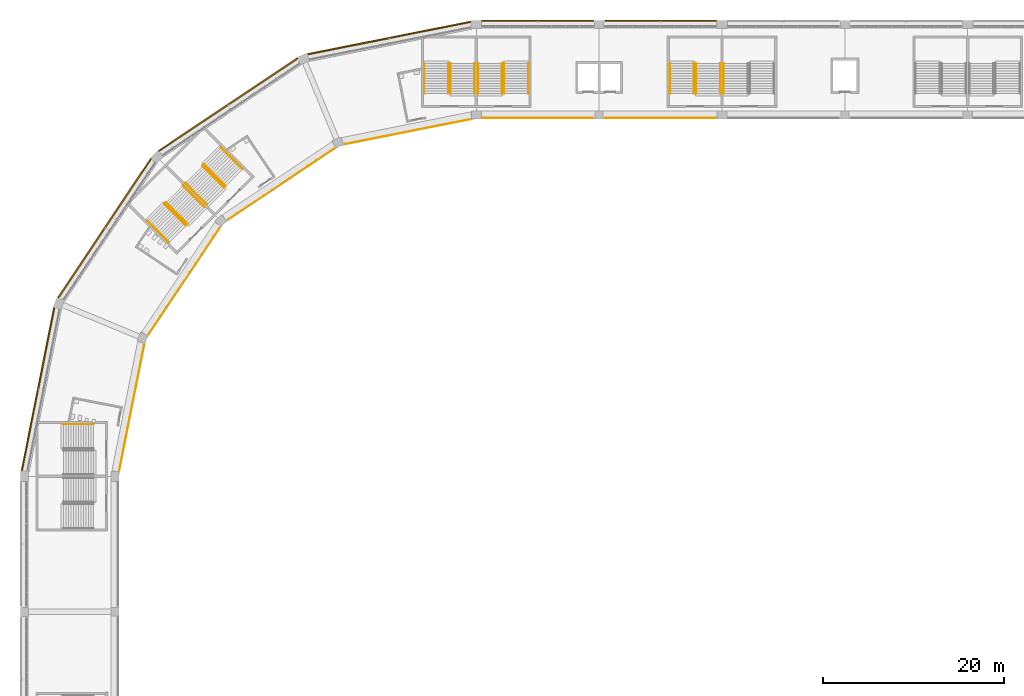
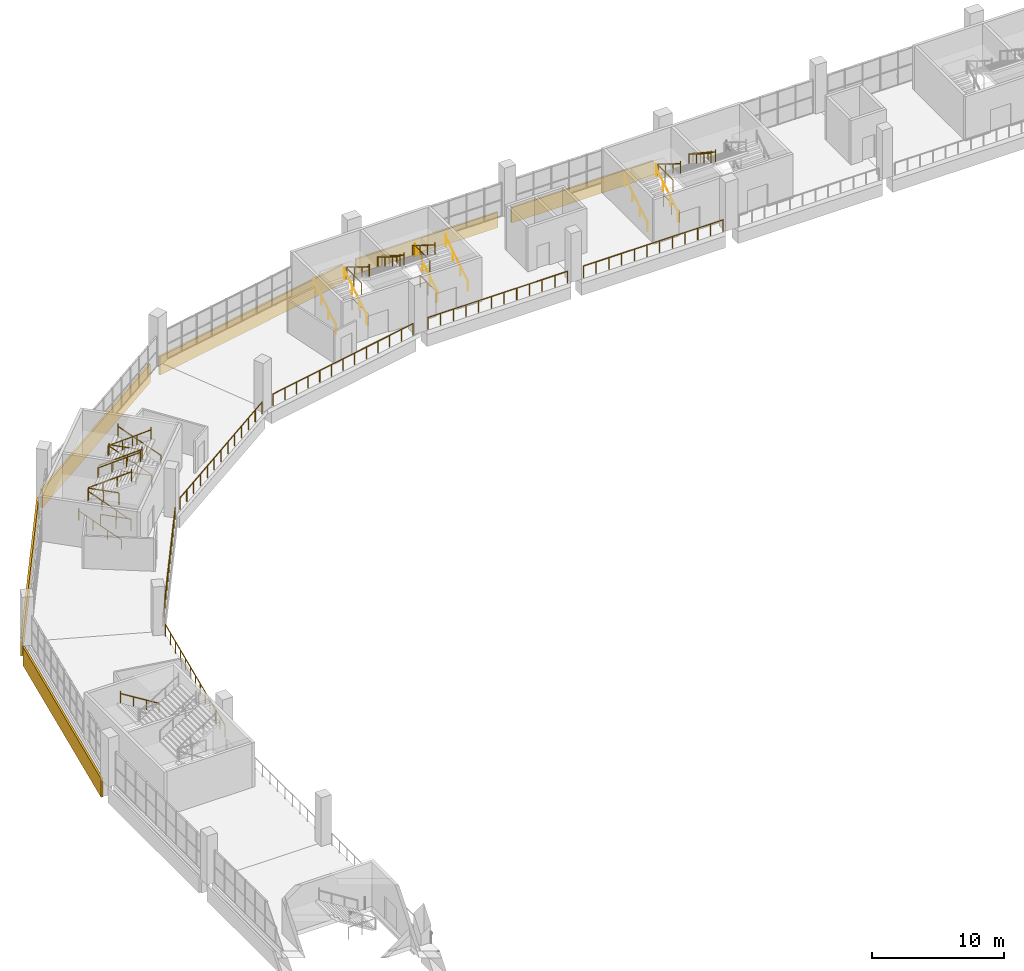
# One storey, part 169 of 177: 38 railings, 6 coverings.
"""IFC4 building model written with IfcOpenShell, lengths in metres."""

import ifcopenshell
import ifcopenshell.guid

model = None  # the IFC model being written
_history = None  # IfcOwnerHistory: only IFC2X3 demands one
_inside = {}  # id of a spatial element -> (the spatial element, [elements in it])
_under = {}  # id of a project, library or spatial element -> (it, [spatial elements below it])
_declared = {}  # id of a project -> (the project, [libraries it declares])
_typed = {}  # id of a type object -> (the type object, [elements of that type])
_made_of = {}  # id of a material, layer set ... -> (it, [elements and type objects made of it])


def new_model(schema):
    """Start an empty IFC model of exactly this schema.

    Asked for "IFC4X3", IfcOpenShell would pick the latest addendum, in which some entities
    have other attributes; the version numbers below select the first issue.
    IFC2X3 requires an IfcOwnerHistory on every rooted entity: one is made here for all.
    """
    global model, _history
    if schema == "IFC4X3":
        model = ifcopenshell.file(schema_version=(4, 3, 0, 0))
    else:
        model = ifcopenshell.file(schema=schema)
    _inside.clear()
    _under.clear()
    _declared.clear()
    _typed.clear()
    _made_of.clear()
    _history = None
    if model.schema == "IFC2X3":
        org = make("IfcOrganization", Name="unknown")
        user = make(
            "IfcPersonAndOrganization",
            ThePerson=make("IfcPerson", FamilyName="unknown"),
            TheOrganization=org,
        )
        app = make(
            "IfcApplication",
            ApplicationDeveloper=org,
            Version="unknown",
            ApplicationFullName="unknown",
            ApplicationIdentifier="unknown",
        )
        _history = make(
            "IfcOwnerHistory",
            OwningUser=user,
            OwningApplication=app,
            ChangeAction="ADDED",
            CreationDate=0,
        )
    return model


def make(cls, **values):
    """One entity of the class cls with the attributes given. An attribute that is None is left unset."""
    return model.create_entity(
        cls, **{name: value for name, value in values.items() if value is not None}
    )


def rooted(cls, **values):
    """An entity with a GlobalId (a new one), such as an element, a storey or a relation."""
    return make(cls, GlobalId=ifcopenshell.guid.new(), OwnerHistory=_history, **values)


def si_unit(unit_type, name, prefix=None):
    """IfcSIUnit, for example si_unit("LENGTHUNIT", "METRE", prefix="MILLI")."""
    return make("IfcSIUnit", UnitType=unit_type, Prefix=prefix, Name=name)


def assignment(units):
    """IfcUnitAssignment: the units of a project."""
    return None if units is None else make("IfcUnitAssignment", Units=units)


def point(xyz):
    """IfcCartesianPoint."""
    return None if xyz is None else make("IfcCartesianPoint", Coordinates=xyz)


def direction(xyz):
    """IfcDirection."""
    return None if xyz is None else make("IfcDirection", DirectionRatios=xyz)


def frame(location, z_axis=None, x_axis=None):
    """IfcAxis2Placement3D, a coordinate frame: its origin and axes. An axis left out is left unset."""
    return make(
        "IfcAxis2Placement3D",
        Location=point(location),
        Axis=direction(z_axis),
        RefDirection=direction(x_axis),
    )


def frame_2d(location, x_axis=None):
    """IfcAxis2Placement2D, a coordinate frame in the plane: its origin and x axis."""
    return make(
        "IfcAxis2Placement2D", Location=point(location), RefDirection=direction(x_axis)
    )


def origin():
    """The frame at (0, 0, 0) with its axes left unset."""
    return frame((0.0, 0.0, 0.0))


def origin_2d():
    """The frame at (0, 0) in the plane with its x axis left unset."""
    return frame_2d((0.0, 0.0))


def place(relative_to, where):
    """IfcLocalPlacement: puts the frame where relative to a parent placement (None: the world)."""
    return make(
        "IfcLocalPlacement", PlacementRelTo=relative_to, RelativePlacement=where
    )


def context(
    kind, dimensions, precision=None, world=None, true_north=None, identifier=None
):
    """IfcGeometricRepresentationContext, for example the 3D "Model" context."""
    return make(
        "IfcGeometricRepresentationContext",
        ContextIdentifier=identifier,
        ContextType=kind,
        CoordinateSpaceDimension=dimensions,
        Precision=precision,
        WorldCoordinateSystem=world,
        TrueNorth=true_north,
    )


def subcontext(parent, identifier, kind, view, scale=None):
    """IfcGeometricRepresentationSubContext, for example "Body" below "Model"."""
    return make(
        "IfcGeometricRepresentationSubContext",
        ContextIdentifier=identifier,
        ContextType=kind,
        ParentContext=parent,
        TargetScale=scale,
        TargetView=view,
    )


def project(units=None, contexts=None):
    """IfcProject with its units and contexts."""
    return rooted(
        "IfcProject",
        Name="project",
        RepresentationContexts=contexts,
        UnitsInContext=assignment(units),
    )


def spatial(cls, under=None, at=None, **own):
    """A site, building, storey or space (cls), placed at a placement, below another one or the project."""
    s = rooted(cls, ObjectPlacement=at, **own)
    if under is not None:
        _under.setdefault(under.id(), (under, []))[1].append(s)
    return s


def polyline(points):
    """IfcPolyline through the points."""
    return make("IfcPolyline", Points=[point(p) for p in points])


def profile(cls, at=None, kind="AREA", **sizes):
    """A parametric profile (cls). Its sizes go by their IFC names, for example OverallWidth=200.0."""
    return make(cls, ProfileType=kind, Position=at, **sizes)


def circle(**sizes):
    """IfcCircleProfileDef."""
    return profile("IfcCircleProfileDef", **sizes)


def outline(outer, holes=None, kind="AREA"):
    """IfcArbitraryClosedProfileDef: a profile drawn as a closed curve; with holes, ...WithVoids."""
    if holes is None:
        return make("IfcArbitraryClosedProfileDef", ProfileType=kind, OuterCurve=outer)
    return make(
        "IfcArbitraryProfileDefWithVoids",
        ProfileType=kind,
        OuterCurve=outer,
        InnerCurves=holes,
    )


def extrude(swept, where, along, depth):
    """IfcExtrudedAreaSolid: the profile swept, set in the frame where, extruded along a direction by depth."""
    return make(
        "IfcExtrudedAreaSolid",
        SweptArea=swept,
        Position=where,
        ExtrudedDirection=direction(along),
        Depth=depth,
    )


def shape(context_of_items, identifier, shape_type, items):
    """IfcShapeRepresentation: the items that make up one representation, for example the "Body"."""
    return make(
        "IfcShapeRepresentation",
        ContextOfItems=context_of_items,
        RepresentationIdentifier=identifier,
        RepresentationType=shape_type,
        Items=items,
    )


def material(Name=None, Category=None):
    """IfcMaterial."""
    return make("IfcMaterial", Name=Name, Category=Category)


def layer(
    of_material, thickness, ventilated=None, Name=None, Category=None, Priority=None
):
    """IfcMaterialLayer: one layer of a wall or slab, of a material (None: an air gap)."""
    return make(
        "IfcMaterialLayer",
        Material=of_material,
        LayerThickness=thickness,
        IsVentilated=ventilated,
        Name=Name,
        Category=Category,
        Priority=Priority,
    )


def layer_set(layers, Name=None):
    """IfcMaterialLayerSet."""
    return make("IfcMaterialLayerSet", MaterialLayers=layers, LayerSetName=Name)


def made_of(thing, what):
    """Note that an element or type object is made of a material, layer set ...; save() writes the relation."""
    if what is not None:
        _made_of.setdefault(what.id(), (what, []))[1].append(thing)
    return thing


def type_object(cls, material=None, **own):
    """A type object (cls), such as IfcWallType, which elements share."""
    return made_of(rooted(cls, **own), material)


def element(
    cls,
    number,
    at=None,
    inside=None,
    cuts=None,
    type_object=None,
    material=None,
    context=None,
    identifier="Body",
    shape_type=None,
    held_by="IfcProductDefinitionShape",
    body=None,
    shapes=None,
    **own,
):
    """One element of the class cls, such as IfcWall. Its Tag is "e" and its number.

    at: its placement. inside: the storey or other place that contains it. cuts: it is an
    opening in that element (IfcRelVoidsElement). A single representation is given by context,
    identifier, shape_type and body (its items); several are given by shapes. held_by: the class
    of the entity that holds the representations. save() writes the other relations.
    """
    e = rooted(cls, Tag="e%d" % number, ObjectPlacement=at, **own)
    if body is not None:
        shapes = [shape(context, identifier, shape_type, body)]
    if shapes is not None:
        e.Representation = make(held_by, Representations=shapes)
    if inside is not None:
        _inside.setdefault(inside.id(), (inside, []))[1].append(e)
    if cuts is not None:
        rooted(
            "IfcRelVoidsElement", RelatingBuildingElement=cuts, RelatedOpeningElement=e
        )
    if type_object is not None:
        _typed.setdefault(type_object.id(), (type_object, []))[1].append(e)
    return made_of(e, material)


def aggregate(whole, parts):
    """IfcRelAggregates: a whole, such as a stair, and the parts it consists of."""
    return rooted("IfcRelAggregates", RelatingObject=whole, RelatedObjects=parts)


def save(model, path):
    """Write the relations noted so far, then the file.

    IfcRelAggregates (storeys below a building ...), IfcRelContainedInSpatialStructure (elements
    in a storey), IfcRelDefinesByType, IfcRelAssociatesMaterial and IfcRelDeclares: one each for
    every whole, place, type object, material and project.
    """
    for whole, parts in _under.values():
        aggregate(whole, parts)
    for where, things in _inside.values():
        rooted(
            "IfcRelContainedInSpatialStructure",
            RelatedElements=things,
            RelatingStructure=where,
        )
    for kind, things in _typed.values():
        rooted("IfcRelDefinesByType", RelatedObjects=things, RelatingType=kind)
    for what, things in _made_of.values():
        rooted("IfcRelAssociatesMaterial", RelatedObjects=things, RelatingMaterial=what)
    for by, libraries in _declared.values():
        rooted("IfcRelDeclares", RelatingContext=by, RelatedDefinitions=libraries)
    model.write(path)


model = new_model("IFC4")

# Units and contexts
model_context = context("Model", 3, precision=1e-05, world=origin(), true_north=direction((0.0, 1.0)))
body_context = subcontext(model_context, "Body", "Model", "MODEL_VIEW")
ifc_project = project(units=[si_unit("LENGTHUNIT", "METRE"), si_unit("AREAUNIT", "SQUARE_METRE"), si_unit("VOLUMEUNIT", "CUBIC_METRE"), si_unit("PLANEANGLEUNIT", "RADIAN"), si_unit("MASSUNIT", "GRAM", prefix="KILO")], contexts=[model_context])

# Site, building, storey
site_placement = place(None, origin())
site = spatial("IfcSite", under=ifc_project, at=site_placement, CompositionType="ELEMENT")
building_placement = place(site_placement, origin())
building = spatial("IfcBuilding", under=site, at=building_placement, Name="Ogive Plaza Stadium", CompositionType="ELEMENT")
storey_placement = place(building_placement, frame((0.0, 0.0, 18.0)))
storey = spatial("IfcBuildingStorey", under=building, at=storey_placement, Name="L04", CompositionType="ELEMENT", Elevation=18.0)

# Railings
ifc_material_1 = material(Name="Steel ASTM A572 Grade 50", Category="steel")
railing_type_1 = type_object("IfcRailingType", Name="Guard 1100", PredefinedType="GUARDRAIL", material=ifc_material_1)
for number, where, name in (
    (1, (-61.84228515625, 84.549560546875, 0.0), "Stair well guard ST30A L04"),
    (2, (-62.521240234375, 85.228515625, 2.25), "Stair well guard ST30A L04"),
    (3, (-66.049560546875, 80.34228515625, 0.0), "Stair well guard ST30B L04"),
    (4, (-66.728515625, 81.021240234375, 2.25), "Stair well guard ST30B L04"),
):
    element("IfcRailing", number, at=place(storey_placement, frame(where)), inside=storey, type_object=railing_type_1, Name=name, PredefinedType="GUARDRAIL", context=body_context, shape_type="SweptSolid", body=[
        extrude(circle(Radius=0.02392578125, at=origin_2d()), frame((0.0, 0.0, 1.076171875), z_axis=(-0.707106781187, 0.707106781187, 0.0), x_axis=(-0.707106781187, -0.707106781187, 0.0)), (0.0, 0.0, 1.0), 2.39990234375),
        extrude(circle(Radius=0.02099609375, at=origin_2d()), origin(), (0.0, 0.0, 1.0), 1.052001953125),
        extrude(circle(Radius=0.02099609375, at=origin_2d()), frame((-0.8486328125, 0.8486328125, 0.0)), (0.0, 0.0, 1.0), 1.052001953125),
        extrude(circle(Radius=0.02099609375, at=origin_2d()), frame((-1.697021484375, 1.697021484375, 0.0)), (0.0, 0.0, 1.0), 1.052001953125),
    ])
for number, where, name in (
    (5, (-31.02490234375, 94.85009765625, 0.0), "Stair well guard ST32A L04"),
    (6, (-31.02490234375, 95.81005859375, 2.25), "Stair well guard ST32A L04"),
    (7, (-36.97509765625, 94.85009765625, 0.0), "Stair well guard ST32B L04"),
    (8, (-36.97509765625, 95.81005859375, 2.25), "Stair well guard ST32B L04"),
    (9, (-9.77490234375, 94.85009765625, 0.0), "Stair well guard ST34B L04"),
    (10, (-9.77490234375, 95.81005859375, 2.25), "Stair well guard ST34B L04"),
):
    element("IfcRailing", number, at=place(storey_placement, frame(where)), inside=storey, type_object=railing_type_1, Name=name, PredefinedType="GUARDRAIL", context=body_context, shape_type="SweptSolid", body=[
        extrude(circle(Radius=0.02392578125, at=origin_2d()), frame((0.0, 0.0, 1.076171875), z_axis=(0.0, 1.0, 0.0), x_axis=(-1.0, 0.0, 0.0)), (0.0, 0.0, 1.0), 2.39990234375),
        extrude(circle(Radius=0.02099609375, at=origin_2d()), origin(), (0.0, 0.0, 1.0), 1.052001953125),
        extrude(circle(Radius=0.02099609375, at=origin_2d()), frame((0.0, 1.199951171875, 0.0)), (0.0, 0.0, 1.0), 1.052001953125),
        extrude(circle(Radius=0.02099609375, at=origin_2d()), frame((0.0, 2.39990234375, 0.0)), (0.0, 0.0, 1.0), 1.052001953125),
    ])
railing_1_placement = place(storey_placement, frame((-73.513427734375, 53.1865234375, 0.0)))
element("IfcRailing", 11, at=railing_1_placement, inside=storey, type_object=railing_type_1, Name="Guard L04 B28", PredefinedType="GUARDRAIL", context=body_context, shape_type="SweptSolid", body=[
    extrude(circle(Radius=0.02392578125, at=origin_2d()), frame((0.0, 0.0, 1.076171875), z_axis=(0.195094987408, 0.980784352387, 0.0), x_axis=(-0.980784352387, 0.195094987408, 0.0)), (0.0, 0.0, 1.0), 14.070556640625),
    extrude(circle(Radius=0.02099609375, at=origin_2d()), origin(), (0.0, 0.0, 1.0), 1.052001953125),
    extrude(circle(Radius=0.02099609375, at=origin_2d()), frame((0.228759765625, 1.14990234375, 0.0)), (0.0, 0.0, 1.0), 1.052001953125),
    extrude(circle(Radius=0.02099609375, at=origin_2d()), frame((0.45751953125, 2.300048828125, 0.0)), (0.0, 0.0, 1.0), 1.052001953125),
    extrude(circle(Radius=0.02099609375, at=origin_2d()), frame((0.686279296875, 3.4501953125, 0.0)), (0.0, 0.0, 1.0), 1.052001953125),
    extrude(circle(Radius=0.02099609375, at=origin_2d()), frame((0.9150390625, 4.60009765625, 0.0)), (0.0, 0.0, 1.0), 1.052001953125),
    extrude(circle(Radius=0.02099609375, at=origin_2d()), frame((1.143798828125, 5.75, 0.0)), (0.0, 0.0, 1.0), 1.052001953125),
    extrude(circle(Radius=0.02099609375, at=origin_2d()), frame((1.37255859375, 6.900146484375, 0.0)), (0.0, 0.0, 1.0), 1.052001953125),
    extrude(circle(Radius=0.02099609375, at=origin_2d()), frame((1.601318359375, 8.05029296875, 0.0)), (0.0, 0.0, 1.0), 1.052001953125),
    extrude(circle(Radius=0.02099609375, at=origin_2d()), frame((1.830078125, 9.2001953125, 0.0)), (0.0, 0.0, 1.0), 1.052001953125),
    extrude(circle(Radius=0.02099609375, at=origin_2d()), frame((2.058837890625, 10.35009765625, 0.0)), (0.0, 0.0, 1.0), 1.052001953125),
    extrude(circle(Radius=0.02099609375, at=origin_2d()), frame((2.28759765625, 11.500244140625, 0.0)), (0.0, 0.0, 1.0), 1.052001953125),
    extrude(circle(Radius=0.02099609375, at=origin_2d()), frame((2.516357421875, 12.650390625, 0.0)), (0.0, 0.0, 1.0), 1.052001953125),
    extrude(circle(Radius=0.02099609375, at=origin_2d()), frame((2.7451171875, 13.80029296875, 0.0)), (0.0, 0.0, 1.0), 1.052001953125),
])
railing_2_placement = place(storey_placement, frame((-70.242919921875, 68.25537109375, 0.0)))
element("IfcRailing", 12, at=railing_2_placement, inside=storey, type_object=railing_type_1, Name="Guard L04 B29", PredefinedType="GUARDRAIL", context=body_context, shape_type="SweptSolid", body=[
    extrude(circle(Radius=0.02392578125, at=origin_2d()), frame((0.0, 0.0, 1.076171875), z_axis=(0.555560774478, 0.83147593222, 0.0), x_axis=(-0.83147593222, 0.555560774478, 0.0)), (0.0, 0.0, 1.0), 14.07080078125),
    extrude(circle(Radius=0.02099609375, at=origin_2d()), origin(), (0.0, 0.0, 1.0), 1.052001953125),
    extrude(circle(Radius=0.02099609375, at=origin_2d()), frame((0.6513671875, 0.974853515625, 0.0)), (0.0, 0.0, 1.0), 1.052001953125),
    extrude(circle(Radius=0.02099609375, at=origin_2d()), frame((1.302734375, 1.949951171875, 0.0)), (0.0, 0.0, 1.0), 1.052001953125),
    extrude(circle(Radius=0.02099609375, at=origin_2d()), frame((1.954345703125, 2.9248046875, 0.0)), (0.0, 0.0, 1.0), 1.052001953125),
    extrude(circle(Radius=0.02099609375, at=origin_2d()), frame((2.605712890625, 3.89990234375, 0.0)), (0.0, 0.0, 1.0), 1.052001953125),
    extrude(circle(Radius=0.02099609375, at=origin_2d()), frame((3.257080078125, 4.874755859375, 0.0)), (0.0, 0.0, 1.0), 1.052001953125),
    extrude(circle(Radius=0.02099609375, at=origin_2d()), frame((3.90869140625, 5.849609375, 0.0)), (0.0, 0.0, 1.0), 1.052001953125),
    extrude(circle(Radius=0.02099609375, at=origin_2d()), frame((4.56005859375, 6.82470703125, 0.0)), (0.0, 0.0, 1.0), 1.052001953125),
    extrude(circle(Radius=0.02099609375, at=origin_2d()), frame((5.21142578125, 7.799560546875, 0.0)), (0.0, 0.0, 1.0), 1.052001953125),
    extrude(circle(Radius=0.02099609375, at=origin_2d()), frame((5.86279296875, 8.774658203125, 0.0)), (0.0, 0.0, 1.0), 1.052001953125),
    extrude(circle(Radius=0.02099609375, at=origin_2d()), frame((6.51416015625, 9.74951171875, 0.0)), (0.0, 0.0, 1.0), 1.052001953125),
    extrude(circle(Radius=0.02099609375, at=origin_2d()), frame((7.165771484375, 10.724609375, 0.0)), (0.0, 0.0, 1.0), 1.052001953125),
    extrude(circle(Radius=0.02099609375, at=origin_2d()), frame((7.817138671875, 11.699462890625, 0.0)), (0.0, 0.0, 1.0), 1.052001953125),
])
railing_3_placement = place(storey_placement, frame((-61.454833984375, 80.92578125, 0.0)))
element("IfcRailing", 13, at=railing_3_placement, inside=storey, type_object=railing_type_1, Name="Guard L04 B30", PredefinedType="GUARDRAIL", context=body_context, shape_type="SweptSolid", body=[
    extrude(circle(Radius=0.02392578125, at=origin_2d()), frame((0.0, 0.0, 1.076171875), z_axis=(0.83147593222, 0.555560774478, 0.0), x_axis=(-0.555560774478, 0.83147593222, 0.0)), (0.0, 0.0, 1.0), 14.07080078125),
    extrude(circle(Radius=0.02099609375, at=origin_2d()), origin(), (0.0, 0.0, 1.0), 1.052001953125),
    extrude(circle(Radius=0.02099609375, at=origin_2d()), frame((0.974853515625, 0.6513671875, 0.0)), (0.0, 0.0, 1.0), 1.052001953125),
    extrude(circle(Radius=0.02099609375, at=origin_2d()), frame((1.949951171875, 1.302734375, 0.0)), (0.0, 0.0, 1.0), 1.052001953125),
    extrude(circle(Radius=0.02099609375, at=origin_2d()), frame((2.9248046875, 1.954345703125, 0.0)), (0.0, 0.0, 1.0), 1.052001953125),
    extrude(circle(Radius=0.02099609375, at=origin_2d()), frame((3.89990234375, 2.605712890625, 0.0)), (0.0, 0.0, 1.0), 1.052001953125),
    extrude(circle(Radius=0.02099609375, at=origin_2d()), frame((4.874755859375, 3.257080078125, 0.0)), (0.0, 0.0, 1.0), 1.052001953125),
    extrude(circle(Radius=0.02099609375, at=origin_2d()), frame((5.849609375, 3.90869140625, 0.0)), (0.0, 0.0, 1.0), 1.052001953125),
    extrude(circle(Radius=0.02099609375, at=origin_2d()), frame((6.82470703125, 4.56005859375, 0.0)), (0.0, 0.0, 1.0), 1.052001953125),
    extrude(circle(Radius=0.02099609375, at=origin_2d()), frame((7.799560546875, 5.21142578125, 0.0)), (0.0, 0.0, 1.0), 1.052001953125),
    extrude(circle(Radius=0.02099609375, at=origin_2d()), frame((8.774658203125, 5.86279296875, 0.0)), (0.0, 0.0, 1.0), 1.052001953125),
    extrude(circle(Radius=0.02099609375, at=origin_2d()), frame((9.74951171875, 6.51416015625, 0.0)), (0.0, 0.0, 1.0), 1.052001953125),
    extrude(circle(Radius=0.02099609375, at=origin_2d()), frame((10.724609375, 7.165771484375, 0.0)), (0.0, 0.0, 1.0), 1.052001953125),
    extrude(circle(Radius=0.02099609375, at=origin_2d()), frame((11.699462890625, 7.817138671875, 0.0)), (0.0, 0.0, 1.0), 1.052001953125),
])
railing_4_placement = place(storey_placement, frame((-48.48681640625, 89.268310546875, 0.0)))
element("IfcRailing", 14, at=railing_4_placement, inside=storey, type_object=railing_type_1, Name="Guard L04 B31", PredefinedType="GUARDRAIL", context=body_context, shape_type="SweptSolid", body=[
    extrude(circle(Radius=0.02392578125, at=origin_2d()), frame((0.0, 0.0, 1.076171875), z_axis=(0.980784352387, 0.195094987408, 0.0), x_axis=(-0.195094987408, 0.980784352387, 0.0)), (0.0, 0.0, 1.0), 14.070556640625),
    extrude(circle(Radius=0.02099609375, at=origin_2d()), origin(), (0.0, 0.0, 1.0), 1.052001953125),
    extrude(circle(Radius=0.02099609375, at=origin_2d()), frame((1.14990234375, 0.228759765625, 0.0)), (0.0, 0.0, 1.0), 1.052001953125),
    extrude(circle(Radius=0.02099609375, at=origin_2d()), frame((2.300048828125, 0.45751953125, 0.0)), (0.0, 0.0, 1.0), 1.052001953125),
    extrude(circle(Radius=0.02099609375, at=origin_2d()), frame((3.4501953125, 0.686279296875, 0.0)), (0.0, 0.0, 1.0), 1.052001953125),
    extrude(circle(Radius=0.02099609375, at=origin_2d()), frame((4.60009765625, 0.9150390625, 0.0)), (0.0, 0.0, 1.0), 1.052001953125),
    extrude(circle(Radius=0.02099609375, at=origin_2d()), frame((5.75, 1.143798828125, 0.0)), (0.0, 0.0, 1.0), 1.052001953125),
    extrude(circle(Radius=0.02099609375, at=origin_2d()), frame((6.900146484375, 1.37255859375, 0.0)), (0.0, 0.0, 1.0), 1.052001953125),
    extrude(circle(Radius=0.02099609375, at=origin_2d()), frame((8.05029296875, 1.601318359375, 0.0)), (0.0, 0.0, 1.0), 1.052001953125),
    extrude(circle(Radius=0.02099609375, at=origin_2d()), frame((9.2001953125, 1.830078125, 0.0)), (0.0, 0.0, 1.0), 1.052001953125),
    extrude(circle(Radius=0.02099609375, at=origin_2d()), frame((10.35009765625, 2.058837890625, 0.0)), (0.0, 0.0, 1.0), 1.052001953125),
    extrude(circle(Radius=0.02099609375, at=origin_2d()), frame((11.500244140625, 2.28759765625, 0.0)), (0.0, 0.0, 1.0), 1.052001953125),
    extrude(circle(Radius=0.02099609375, at=origin_2d()), frame((12.650390625, 2.516357421875, 0.0)), (0.0, 0.0, 1.0), 1.052001953125),
    extrude(circle(Radius=0.02099609375, at=origin_2d()), frame((13.80029296875, 2.7451171875, 0.0)), (0.0, 0.0, 1.0), 1.052001953125),
])
for number, where, name in (
    (15, (-33.300048828125, 92.14990234375, 0.0), "Guard L04 B32"),
    (16, (-19.699951171875, 92.14990234375, 0.0), "Guard L04 B33"),
):
    element("IfcRailing", number, at=place(storey_placement, frame(where)), inside=storey, type_object=railing_type_1, Name=name, PredefinedType="GUARDRAIL", context=body_context, shape_type="SweptSolid", body=[
        extrude(circle(Radius=0.02392578125, at=origin_2d()), frame((0.0, 0.0, 1.076171875), z_axis=(1.0, 0.0, 0.0), x_axis=(0.0, 1.0, 0.0)), (0.0, 0.0, 1.0), 12.199951171875),
        extrude(circle(Radius=0.02099609375, at=origin_2d()), origin(), (0.0, 0.0, 1.0), 1.052001953125),
        extrude(circle(Radius=0.02099609375, at=origin_2d()), frame((1.109130859375, 0.0, 0.0)), (0.0, 0.0, 1.0), 1.052001953125),
        extrude(circle(Radius=0.02099609375, at=origin_2d()), frame((2.21826171875, 0.0, 0.0)), (0.0, 0.0, 1.0), 1.052001953125),
        extrude(circle(Radius=0.02099609375, at=origin_2d()), frame((3.3271484375, 0.0, 0.0)), (0.0, 0.0, 1.0), 1.052001953125),
        extrude(circle(Radius=0.02099609375, at=origin_2d()), frame((4.436279296875, 0.0, 0.0)), (0.0, 0.0, 1.0), 1.052001953125),
        extrude(circle(Radius=0.02099609375, at=origin_2d()), frame((5.54541015625, 0.0, 0.0)), (0.0, 0.0, 1.0), 1.052001953125),
        extrude(circle(Radius=0.02099609375, at=origin_2d()), frame((6.654541015625, 0.0, 0.0)), (0.0, 0.0, 1.0), 1.052001953125),
        extrude(circle(Radius=0.02099609375, at=origin_2d()), frame((7.763671875, 0.0, 0.0)), (0.0, 0.0, 1.0), 1.052001953125),
        extrude(circle(Radius=0.02099609375, at=origin_2d()), frame((8.872802734375, 0.0, 0.0)), (0.0, 0.0, 1.0), 1.052001953125),
        extrude(circle(Radius=0.02099609375, at=origin_2d()), frame((9.981689453125, 0.0, 0.0)), (0.0, 0.0, 1.0), 1.052001953125),
        extrude(circle(Radius=0.02099609375, at=origin_2d()), frame((11.0908203125, 0.0, 0.0)), (0.0, 0.0, 1.0), 1.052001953125),
        extrude(circle(Radius=0.02099609375, at=origin_2d()), frame((12.199951171875, 0.0, 0.0)), (0.0, 0.0, 1.0), 1.052001953125),
    ])
ifc_material_2 = material(Name="Steel ASTM A572 Grade 50", Category="steel")
railing_type_2 = type_object("IfcRailingType", Name="Handrail 900", PredefinedType="HANDRAIL", material=ifc_material_2)
railing_5_placement = place(storey_placement, frame((-76.35009765625, 58.264892578125, 0.173095703125)))
element("IfcRailing", 17, at=railing_5_placement, inside=storey, type_object=railing_type_2, Name="Handrail ST28A L04", PredefinedType="HANDRAIL", context=body_context, shape_type="SweptSolid", body=[
    extrude(circle(Radius=0.02392578125, at=origin_2d()), frame((0.0, 0.0, 0.8759765625), z_axis=(-0.850606129759, 0.0, 0.525803396734), x_axis=(0.0, -1.0, 0.0)), (0.0, 0.0, 1.0), 3.949951171875),
    extrude(circle(Radius=0.02099609375, at=origin_2d()), origin(), (0.0, 0.0, 1.0), 0.851806640625),
    extrude(circle(Radius=0.02099609375, at=origin_2d()), frame((-1.119873046875, 0.0, 0.6923828125)), (0.0, 0.0, 1.0), 0.851806640625),
    extrude(circle(Radius=0.02099609375, at=origin_2d()), frame((-2.239990234375, 0.0, 1.384521484375)), (0.0, 0.0, 1.0), 0.851806640625),
    extrude(circle(Radius=0.02099609375, at=origin_2d()), frame((-3.35986328125, 0.0, 2.076904296875)), (0.0, 0.0, 1.0), 1.10009765625),
])
railing_6_placement = place(storey_placement, frame((-59.869384765625, 86.5224609375, 0.173095703125)))
element("IfcRailing", 18, at=railing_6_placement, inside=storey, type_object=railing_type_2, Name="Handrail ST30A L04", PredefinedType="HANDRAIL", context=body_context, shape_type="SweptSolid", body=[
    extrude(circle(Radius=0.02392578125, at=origin_2d()), frame((0.0, 0.0, 0.8759765625), z_axis=(-0.601482971545, 0.601482971545, 0.525772260474), x_axis=(-0.707106781187, -0.707106781187, 0.0)), (0.0, 0.0, 1.0), 3.9501953125),
    extrude(circle(Radius=0.02099609375, at=origin_2d()), origin(), (0.0, 0.0, 1.0), 0.851806640625),
    extrude(circle(Radius=0.02099609375, at=origin_2d()), frame((-0.7919921875, 0.7919921875, 0.6923828125)), (0.0, 0.0, 1.0), 0.851806640625),
    extrude(circle(Radius=0.02099609375, at=origin_2d()), frame((-1.583984375, 1.583984375, 1.384521484375)), (0.0, 0.0, 1.0), 0.851806640625),
    extrude(circle(Radius=0.02099609375, at=origin_2d()), frame((-2.3759765625, 2.3759765625, 2.076904296875)), (0.0, 0.0, 1.0), 1.10009765625),
])
railing_7_placement = place(storey_placement, frame((-61.7646484375, 84.62744140625, 0.173095703125)))
element("IfcRailing", 19, at=railing_7_placement, inside=storey, type_object=railing_type_2, Name="Handrail ST30A L04", PredefinedType="HANDRAIL", context=body_context, shape_type="SweptSolid", body=[
    extrude(circle(Radius=0.02392578125, at=origin_2d()), frame((0.0, 0.0, 0.8759765625), z_axis=(-0.601465884576, 0.601465884576, 0.525811353416), x_axis=(-0.707106781187, -0.707106781187, 0.0)), (0.0, 0.0, 1.0), 3.949951171875),
    extrude(circle(Radius=0.02099609375, at=origin_2d()), origin(), (0.0, 0.0, 1.0), 0.851806640625),
    extrude(circle(Radius=0.02099609375, at=origin_2d()), frame((-0.7919921875, 0.7919921875, 0.6923828125)), (0.0, 0.0, 1.0), 0.851806640625),
    extrude(circle(Radius=0.02099609375, at=origin_2d()), frame((-1.583740234375, 1.583740234375, 1.384521484375)), (0.0, 0.0, 1.0), 0.851806640625),
    extrude(circle(Radius=0.02099609375, at=origin_2d()), frame((-2.375732421875, 2.375732421875, 2.076904296875)), (0.0, 0.0, 1.0), 1.10009765625),
])
for number, where, name in (
    (20, (-64.2958984375, 86.84765625, 2.423095703125), "Handrail ST30A L04"),
    (21, (-66.19091796875, 84.95263671875, 2.423095703125), "Handrail ST30A L04"),
):
    element("IfcRailing", number, at=place(storey_placement, frame(where)), inside=storey, type_object=railing_type_2, Name=name, PredefinedType="HANDRAIL", context=body_context, shape_type="SweptSolid", body=[
        extrude(circle(Radius=0.02392578125, at=origin_2d()), frame((0.0, 0.0, 0.8759765625), z_axis=(0.601465884576, -0.601465884576, 0.525811353416), x_axis=(0.707106781187, 0.707106781187, 0.0)), (0.0, 0.0, 1.0), 3.949951171875),
        extrude(circle(Radius=0.02099609375, at=origin_2d()), origin(), (0.0, 0.0, 1.0), 0.851806640625),
        extrude(circle(Radius=0.02099609375, at=origin_2d()), frame((0.7919921875, -0.7919921875, 0.6923828125)), (0.0, 0.0, 1.0), 0.851806640625),
        extrude(circle(Radius=0.02099609375, at=origin_2d()), frame((1.583740234375, -1.583740234375, 1.384521484375)), (0.0, 0.0, 1.0), 0.851806640625),
        extrude(circle(Radius=0.02099609375, at=origin_2d()), frame((2.375732421875, -2.375732421875, 2.076904296875)), (0.0, 0.0, 1.0), 1.10009765625),
    ])
railing_8_placement = place(storey_placement, frame((-66.12744140625, 80.2646484375, 0.173095703125)))
element("IfcRailing", 22, at=railing_8_placement, inside=storey, type_object=railing_type_2, Name="Handrail ST30B L04", PredefinedType="HANDRAIL", context=body_context, shape_type="SweptSolid", body=[
    extrude(circle(Radius=0.02392578125, at=origin_2d()), frame((0.0, 0.0, 0.8759765625), z_axis=(-0.601465884576, 0.601465884576, 0.525811353416), x_axis=(-0.707106781187, -0.707106781187, 0.0)), (0.0, 0.0, 1.0), 3.949951171875),
    extrude(circle(Radius=0.02099609375, at=origin_2d()), origin(), (0.0, 0.0, 1.0), 0.851806640625),
    extrude(circle(Radius=0.02099609375, at=origin_2d()), frame((-0.7919921875, 0.7919921875, 0.6923828125)), (0.0, 0.0, 1.0), 0.851806640625),
    extrude(circle(Radius=0.02099609375, at=origin_2d()), frame((-1.583740234375, 1.583740234375, 1.384521484375)), (0.0, 0.0, 1.0), 0.851806640625),
    extrude(circle(Radius=0.02099609375, at=origin_2d()), frame((-2.375732421875, 2.375732421875, 2.076904296875)), (0.0, 0.0, 1.0), 1.10009765625),
])
railing_9_placement = place(storey_placement, frame((-68.0224609375, 78.369384765625, 0.173095703125)))
element("IfcRailing", 23, at=railing_9_placement, inside=storey, type_object=railing_type_2, Name="Handrail ST30B L04", PredefinedType="HANDRAIL", context=body_context, shape_type="SweptSolid", body=[
    extrude(circle(Radius=0.02392578125, at=origin_2d()), frame((0.0, 0.0, 0.8759765625), z_axis=(-0.601482971545, 0.601482971545, 0.525772260474), x_axis=(-0.707106781187, -0.707106781187, 0.0)), (0.0, 0.0, 1.0), 3.9501953125),
    extrude(circle(Radius=0.02099609375, at=origin_2d()), origin(), (0.0, 0.0, 1.0), 0.851806640625),
    extrude(circle(Radius=0.02099609375, at=origin_2d()), frame((-0.7919921875, 0.7919921875, 0.6923828125)), (0.0, 0.0, 1.0), 0.851806640625),
    extrude(circle(Radius=0.02099609375, at=origin_2d()), frame((-1.583984375, 1.583984375, 1.384521484375)), (0.0, 0.0, 1.0), 0.851806640625),
    extrude(circle(Radius=0.02099609375, at=origin_2d()), frame((-2.3759765625, 2.3759765625, 2.076904296875)), (0.0, 0.0, 1.0), 1.10009765625),
])
for number, where, name in (
    (24, (-66.45263671875, 84.69091796875, 2.423095703125), "Handrail ST30B L04"),
    (25, (-68.34765625, 82.7958984375, 2.423095703125), "Handrail ST30B L04"),
):
    element("IfcRailing", number, at=place(storey_placement, frame(where)), inside=storey, type_object=railing_type_2, Name=name, PredefinedType="HANDRAIL", context=body_context, shape_type="SweptSolid", body=[
        extrude(circle(Radius=0.02392578125, at=origin_2d()), frame((0.0, 0.0, 0.8759765625), z_axis=(0.601465884576, -0.601465884576, 0.525811353416), x_axis=(0.707106781187, 0.707106781187, 0.0)), (0.0, 0.0, 1.0), 3.949951171875),
        extrude(circle(Radius=0.02099609375, at=origin_2d()), origin(), (0.0, 0.0, 1.0), 0.851806640625),
        extrude(circle(Radius=0.02099609375, at=origin_2d()), frame((0.7919921875, -0.7919921875, 0.6923828125)), (0.0, 0.0, 1.0), 0.851806640625),
        extrude(circle(Radius=0.02099609375, at=origin_2d()), frame((1.583740234375, -1.583740234375, 1.384521484375)), (0.0, 0.0, 1.0), 0.851806640625),
        extrude(circle(Radius=0.02099609375, at=origin_2d()), frame((2.375732421875, -2.375732421875, 2.076904296875)), (0.0, 0.0, 1.0), 1.10009765625),
    ])
for number, where, name in (
    (26, (-28.235107421875, 94.85009765625, 0.173095703125), "Handrail ST32A L04"),
    (27, (-30.9150390625, 94.85009765625, 0.173095703125), "Handrail ST32A L04"),
):
    element("IfcRailing", number, at=place(storey_placement, frame(where)), inside=storey, type_object=railing_type_2, Name=name, PredefinedType="HANDRAIL", context=body_context, shape_type="SweptSolid", body=[
        extrude(circle(Radius=0.02392578125, at=origin_2d()), frame((0.0, 0.0, 0.8759765625), z_axis=(0.0, 0.850606129759, 0.525803396734), x_axis=(-1.0, 0.0, 0.0)), (0.0, 0.0, 1.0), 3.949951171875),
        extrude(circle(Radius=0.02099609375, at=origin_2d()), origin(), (0.0, 0.0, 1.0), 0.851806640625),
        extrude(circle(Radius=0.02099609375, at=origin_2d()), frame((0.0, 1.119873046875, 0.6923828125)), (0.0, 0.0, 1.0), 0.851806640625),
        extrude(circle(Radius=0.02099609375, at=origin_2d()), frame((0.0, 2.239990234375, 1.384521484375)), (0.0, 0.0, 1.0), 0.851806640625),
        extrude(circle(Radius=0.02099609375, at=origin_2d()), frame((0.0, 3.35986328125, 2.076904296875)), (0.0, 0.0, 1.0), 1.10009765625),
    ])
for number, where, name in (
    (28, (-31.135009765625, 98.2099609375, 2.423095703125), "Handrail ST32A L04"),
    (29, (-33.81494140625, 98.2099609375, 2.423095703125), "Handrail ST32A L04"),
):
    element("IfcRailing", number, at=place(storey_placement, frame(where)), inside=storey, type_object=railing_type_2, Name=name, PredefinedType="HANDRAIL", context=body_context, shape_type="SweptSolid", body=[
        extrude(circle(Radius=0.02392578125, at=origin_2d()), frame((0.0, 0.0, 0.8759765625), z_axis=(0.0, -0.850606129759, 0.525803396734), x_axis=(1.0, 0.0, 0.0)), (0.0, 0.0, 1.0), 3.949951171875),
        extrude(circle(Radius=0.02099609375, at=origin_2d()), origin(), (0.0, 0.0, 1.0), 0.851806640625),
        extrude(circle(Radius=0.02099609375, at=origin_2d()), frame((0.0, -1.119873046875, 0.6923828125)), (0.0, 0.0, 1.0), 0.851806640625),
        extrude(circle(Radius=0.02099609375, at=origin_2d()), frame((0.0, -2.239990234375, 1.384521484375)), (0.0, 0.0, 1.0), 0.851806640625),
        extrude(circle(Radius=0.02099609375, at=origin_2d()), frame((0.0, -3.35986328125, 2.076904296875)), (0.0, 0.0, 1.0), 1.10009765625),
    ])
for number, where, name in (
    (30, (-37.0849609375, 94.85009765625, 0.173095703125), "Handrail ST32B L04"),
    (31, (-39.764892578125, 94.85009765625, 0.173095703125), "Handrail ST32B L04"),
):
    element("IfcRailing", number, at=place(storey_placement, frame(where)), inside=storey, type_object=railing_type_2, Name=name, PredefinedType="HANDRAIL", context=body_context, shape_type="SweptSolid", body=[
        extrude(circle(Radius=0.02392578125, at=origin_2d()), frame((0.0, 0.0, 0.8759765625), z_axis=(0.0, 0.850606129759, 0.525803396734), x_axis=(-1.0, 0.0, 0.0)), (0.0, 0.0, 1.0), 3.949951171875),
        extrude(circle(Radius=0.02099609375, at=origin_2d()), origin(), (0.0, 0.0, 1.0), 0.851806640625),
        extrude(circle(Radius=0.02099609375, at=origin_2d()), frame((0.0, 1.119873046875, 0.6923828125)), (0.0, 0.0, 1.0), 0.851806640625),
        extrude(circle(Radius=0.02099609375, at=origin_2d()), frame((0.0, 2.239990234375, 1.384521484375)), (0.0, 0.0, 1.0), 0.851806640625),
        extrude(circle(Radius=0.02099609375, at=origin_2d()), frame((0.0, 3.35986328125, 2.076904296875)), (0.0, 0.0, 1.0), 1.10009765625),
    ])
for number, where, name in (
    (32, (-34.18505859375, 98.2099609375, 2.423095703125), "Handrail ST32B L04"),
    (33, (-36.864990234375, 98.2099609375, 2.423095703125), "Handrail ST32B L04"),
    (34, (-6.614990234375, 98.2099609375, 2.423095703125), "Handrail ST34A L04"),
):
    element("IfcRailing", number, at=place(storey_placement, frame(where)), inside=storey, type_object=railing_type_2, Name=name, PredefinedType="HANDRAIL", context=body_context, shape_type="SweptSolid", body=[
        extrude(circle(Radius=0.02392578125, at=origin_2d()), frame((0.0, 0.0, 0.8759765625), z_axis=(0.0, -0.850606129759, 0.525803396734), x_axis=(1.0, 0.0, 0.0)), (0.0, 0.0, 1.0), 3.949951171875),
        extrude(circle(Radius=0.02099609375, at=origin_2d()), origin(), (0.0, 0.0, 1.0), 0.851806640625),
        extrude(circle(Radius=0.02099609375, at=origin_2d()), frame((0.0, -1.119873046875, 0.6923828125)), (0.0, 0.0, 1.0), 0.851806640625),
        extrude(circle(Radius=0.02099609375, at=origin_2d()), frame((0.0, -2.239990234375, 1.384521484375)), (0.0, 0.0, 1.0), 0.851806640625),
        extrude(circle(Radius=0.02099609375, at=origin_2d()), frame((0.0, -3.35986328125, 2.076904296875)), (0.0, 0.0, 1.0), 1.10009765625),
    ])
for number, where, name in (
    (35, (-9.885009765625, 94.85009765625, 0.173095703125), "Handrail ST34B L04"),
    (36, (-12.56494140625, 94.85009765625, 0.173095703125), "Handrail ST34B L04"),
):
    element("IfcRailing", number, at=place(storey_placement, frame(where)), inside=storey, type_object=railing_type_2, Name=name, PredefinedType="HANDRAIL", context=body_context, shape_type="SweptSolid", body=[
        extrude(circle(Radius=0.02392578125, at=origin_2d()), frame((0.0, 0.0, 0.8759765625), z_axis=(0.0, 0.850606129759, 0.525803396734), x_axis=(-1.0, 0.0, 0.0)), (0.0, 0.0, 1.0), 3.949951171875),
        extrude(circle(Radius=0.02099609375, at=origin_2d()), origin(), (0.0, 0.0, 1.0), 0.851806640625),
        extrude(circle(Radius=0.02099609375, at=origin_2d()), frame((0.0, 1.119873046875, 0.6923828125)), (0.0, 0.0, 1.0), 0.851806640625),
        extrude(circle(Radius=0.02099609375, at=origin_2d()), frame((0.0, 2.239990234375, 1.384521484375)), (0.0, 0.0, 1.0), 0.851806640625),
        extrude(circle(Radius=0.02099609375, at=origin_2d()), frame((0.0, 3.35986328125, 2.076904296875)), (0.0, 0.0, 1.0), 1.10009765625),
    ])
for number, where, name in (
    (37, (-6.985107421875, 98.2099609375, 2.423095703125), "Handrail ST34B L04"),
    (38, (-9.6650390625, 98.2099609375, 2.423095703125), "Handrail ST34B L04"),
):
    element("IfcRailing", number, at=place(storey_placement, frame(where)), inside=storey, type_object=railing_type_2, Name=name, PredefinedType="HANDRAIL", context=body_context, shape_type="SweptSolid", body=[
        extrude(circle(Radius=0.02392578125, at=origin_2d()), frame((0.0, 0.0, 0.8759765625), z_axis=(0.0, -0.850606129759, 0.525803396734), x_axis=(1.0, 0.0, 0.0)), (0.0, 0.0, 1.0), 3.949951171875),
        extrude(circle(Radius=0.02099609375, at=origin_2d()), origin(), (0.0, 0.0, 1.0), 0.851806640625),
        extrude(circle(Radius=0.02099609375, at=origin_2d()), frame((0.0, -1.119873046875, 0.6923828125)), (0.0, 0.0, 1.0), 0.851806640625),
        extrude(circle(Radius=0.02099609375, at=origin_2d()), frame((0.0, -2.239990234375, 1.384521484375)), (0.0, 0.0, 1.0), 0.851806640625),
        extrude(circle(Radius=0.02099609375, at=origin_2d()), frame((0.0, -3.35986328125, 2.076904296875)), (0.0, 0.0, 1.0), 1.10009765625),
    ])

# Coverings
ifc_material_3 = material(Name="Cast stone (reconstituted limestone)", Category="masonry")
ifc_layer = layer(ifc_material_3, 0.159912109375)
ifc_layer_set = layer_set([ifc_layer], Name="Precast spandrel cladding 160")
covering_type = type_object("IfcCoveringType", Name="Precast spandrel cladding 160", PredefinedType="CLADDING", material=ifc_layer_set)
covering_1_placement = place(storey_placement, frame((0.0, 0.0, -1.7099609375)))
element("IfcCovering", 39, at=covering_1_placement, inside=storey, type_object=covering_type, Name="SPANDREL CLADDING B28 L04", PredefinedType="CLADDING", context=body_context, shape_type="SweptSolid", body=[
    extrude(outline(polyline([(-84.237548828125, 53.10009765625), (-80.64306640625, 71.170654296875), (-80.800048828125, 71.201904296875), (-84.39453125, 53.131103515625), (-84.237548828125, 53.10009765625)])), origin(), (0.0, 0.0, 1.0), 1.7099609375),
])
covering_2_placement = place(storey_placement, frame((0.0, 0.0, -1.7099609375)))
element("IfcCovering", 40, at=covering_2_placement, inside=storey, type_object=covering_type, Name="SPANDREL CLADDING B29 L04", PredefinedType="CLADDING", context=body_context, shape_type="SweptSolid", body=[
    extrude(outline(polyline([(-80.212158203125, 72.237060546875), (-69.919189453125, 87.641357421875), (-70.05224609375, 87.730224609375), (-80.34521484375, 72.325927734375), (-80.212158203125, 72.237060546875)])), origin(), (0.0, 0.0, 1.0), 1.7099609375),
])
covering_3_placement = place(storey_placement, frame((0.0, 0.0, -1.7099609375)))
element("IfcCovering", 41, at=covering_3_placement, inside=storey, type_object=covering_type, Name="SPANDREL CLADDING B30 L04", PredefinedType="CLADDING", context=body_context, shape_type="SweptSolid", body=[
    extrude(outline(polyline([(-69.141357421875, 88.419189453125), (-53.737060546875, 98.712158203125), (-53.825927734375, 98.84521484375), (-69.230224609375, 88.55224609375), (-69.141357421875, 88.419189453125)])), origin(), (0.0, 0.0, 1.0), 1.7099609375),
])
covering_4_placement = place(storey_placement, frame((0.0, 0.0, -1.7099609375)))
element("IfcCovering", 42, at=covering_4_placement, inside=storey, type_object=covering_type, Name="SPANDREL CLADDING B31 L04", PredefinedType="CLADDING", context=body_context, shape_type="SweptSolid", body=[
    extrude(outline(polyline([(-52.670654296875, 99.14306640625), (-34.60009765625, 102.737548828125), (-34.631103515625, 102.89453125), (-52.701904296875, 99.300048828125), (-52.670654296875, 99.14306640625)])), origin(), (0.0, 0.0, 1.0), 1.7099609375),
])
covering_5_placement = place(storey_placement, frame((0.0, 0.0, -1.409912109375)))
element("IfcCovering", 43, at=covering_5_placement, inside=storey, type_object=covering_type, Name="SPANDREL CLADDING B32 L04", PredefinedType="CLADDING", context=body_context, shape_type="SweptSolid", body=[
    extrude(outline(polyline([(-33.39990234375, 102.85009765625), (-21.0, 102.85009765625), (-21.0, 103.010009765625), (-33.39990234375, 103.010009765625), (-33.39990234375, 102.85009765625)])), origin(), (0.0, 0.0, 1.0), 1.409912109375),
])
covering_6_placement = place(storey_placement, frame((0.0, 0.0, -1.409912109375)))
element("IfcCovering", 44, at=covering_6_placement, inside=storey, type_object=covering_type, Name="SPANDREL CLADDING B33 L04", PredefinedType="CLADDING", context=body_context, shape_type="SweptSolid", body=[
    extrude(outline(polyline([(-19.800048828125, 102.85009765625), (-7.39990234375, 102.85009765625), (-7.39990234375, 103.010009765625), (-19.800048828125, 103.010009765625), (-19.800048828125, 102.85009765625)])), origin(), (0.0, 0.0, 1.0), 1.409912109375),
])

save(model, "model.ifc")
